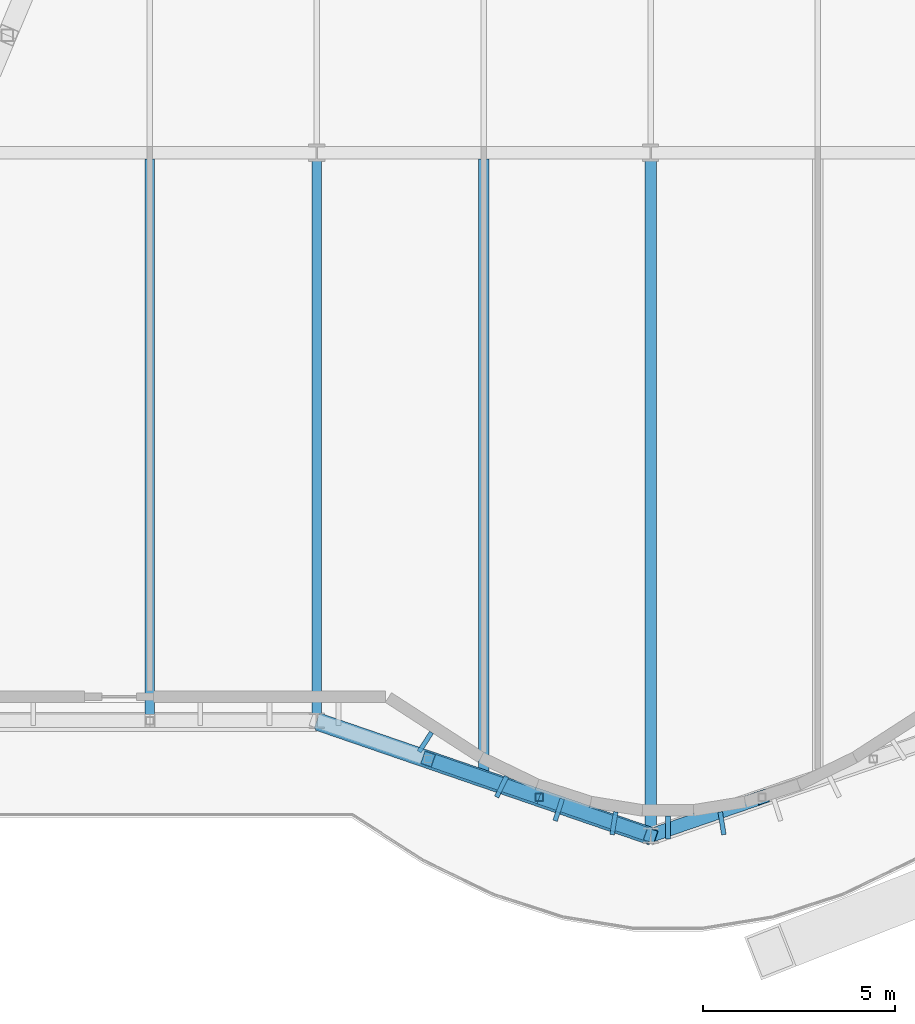
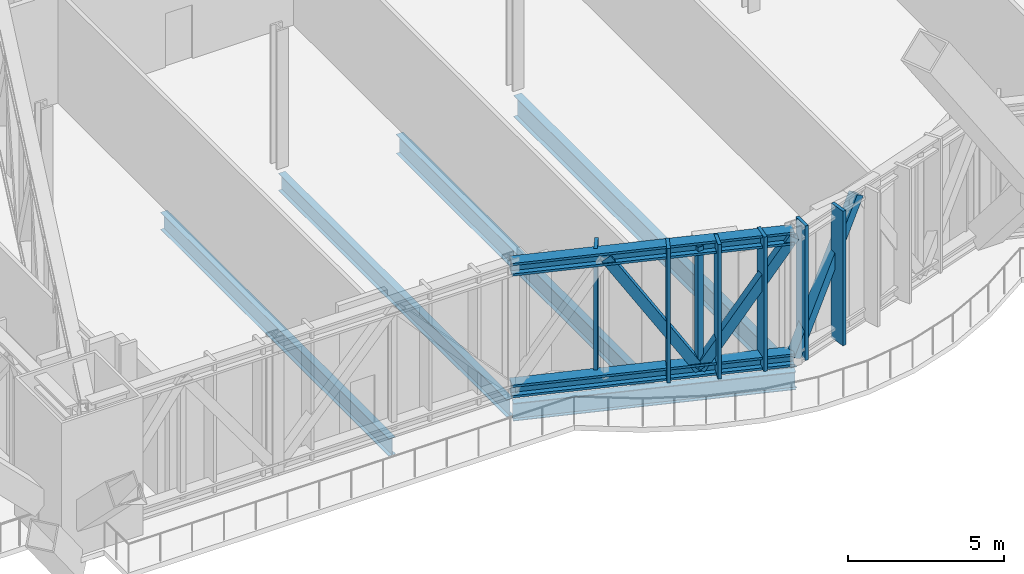
# One storey, part 5 of 32: 12 members, 5 beams, 1 element without a shape of its own.
"""IFC4 building model written with IfcOpenShell, lengths in metres."""

from ifc_helpers import new_model, si_unit, direction, frame, origin, origin_2d, place, context, subcontext, project, spatial, rectangle, hollow_rectangle, i_section, extrude, material, material_profile, profile_set, type_object, element, aggregate, save


model = new_model("IFC4")

# Units and contexts
model_context = context("Model", 3, precision=1e-05, world=origin(), true_north=direction((0.0, 1.0)))
body_context = subcontext(model_context, "Body", "Model", "MODEL_VIEW")
ifc_project = project(units=[si_unit("LENGTHUNIT", "METRE"), si_unit("AREAUNIT", "SQUARE_METRE"), si_unit("VOLUMEUNIT", "CUBIC_METRE"), si_unit("PLANEANGLEUNIT", "RADIAN"), si_unit("MASSUNIT", "GRAM", prefix="KILO")], contexts=[model_context])

# Site, building, storey
site_placement = place(None, origin())
site = spatial("IfcSite", under=ifc_project, at=site_placement, CompositionType="ELEMENT")
building_placement = place(site_placement, origin())
building = spatial("IfcBuilding", under=site, at=building_placement, Name="Bicima Exchange Tower", CompositionType="ELEMENT")
storey_placement = place(building_placement, frame((0.0, 0.0, 84.5)))
storey = spatial("IfcBuildingStorey", under=building, at=storey_placement, Name="L17", CompositionType="ELEMENT", Elevation=84.5)

# Curtain wall, members
ifc_material_1 = material(Name="Anodised bronze aluminium", Category="aluminium")
curtain_wall_type = type_object("IfcCurtainWallType", Name="Band blade screen", PredefinedType="NOTDEFINED", material=ifc_material_1)
curtain_wall_placement = place(storey_placement, origin())
curtain_wall = element("IfcCurtainWall", 1, at=curtain_wall_placement, inside=storey, type_object=curtain_wall_type, Name="Band blade screen L17", PredefinedType="NOTDEFINED")
ifc_material_profile_1 = material_profile(ifc_material_1, rectangle(XDim=0.60009765625, YDim=0.1201171875, at=origin_2d()))
ifc_profile_set_1 = profile_set([ifc_material_profile_1], Name="Anodised bronze aluminium")
member_type_1 = type_object("IfcMemberType", Name="Band blade fin 600 x 120", PredefinedType="USERDEFINED", material=ifc_profile_set_1)
member_1_placement = place(storey_placement, frame((-14.5703125, -37.348388671875, 0.0), z_axis=(0.0, 0.0, 1.0), x_axis=(0.542916511621, 0.839786676132, 0.0)))
member_1 = element("IfcMember", 2, at=member_1_placement, type_object=member_type_1, Name="Band blade fin 35", ObjectType="FIN", PredefinedType="USERDEFINED", context=body_context, shape_type="SweptSolid", body=[
    extrude(rectangle(XDim=0.60009765625, YDim=0.1201171875, at=origin_2d()), origin(), (0.0, 0.0, 1.0), 5.25),
])
member_2_placement = place(storey_placement, frame((-12.583740234375, -38.510498046875, 0.0), z_axis=(0.0, 0.0, 1.0), x_axis=(0.436286748784, 0.899807686584, 0.0)))
member_2 = element("IfcMember", 3, at=member_2_placement, type_object=member_type_1, Name="Band blade fin 36", ObjectType="FIN", PredefinedType="USERDEFINED", context=body_context, shape_type="SweptSolid", body=[
    extrude(rectangle(XDim=0.60009765625, YDim=0.1201171875, at=origin_2d()), origin(), (0.0, 0.0, 1.0), 5.25),
])
member_3_placement = place(storey_placement, frame((-11.096435546875, -39.114013671875, 0.0), z_axis=(0.0, 0.0, 1.0), x_axis=(0.307552591055, 0.951531083956, 0.0)))
member_3 = element("IfcMember", 4, at=member_3_placement, type_object=member_type_1, Name="Band blade fin 37", ObjectType="FIN", PredefinedType="USERDEFINED", context=body_context, shape_type="SweptSolid", body=[
    extrude(rectangle(XDim=0.60009765625, YDim=0.1201171875, at=origin_2d()), origin(), (0.0, 0.0, 1.0), 5.25),
])
member_4_placement = place(storey_placement, frame((-9.65869140625, -39.464599609375, 0.0), z_axis=(0.0, 0.0, 1.0), x_axis=(0.159533156447, 0.987192570877, 0.0)))
member_4 = element("IfcMember", 5, at=member_4_placement, type_object=member_type_1, Name="Band blade fin 38", ObjectType="FIN", PredefinedType="USERDEFINED", context=body_context, shape_type="SweptSolid", body=[
    extrude(rectangle(XDim=0.60009765625, YDim=0.1201171875, at=origin_2d()), origin(), (0.0, 0.0, 1.0), 5.25),
])
member_5_placement = place(storey_placement, frame((-8.25, -39.5791015625, 0.0), z_axis=(0.0, 0.0, 1.0), x_axis=(0.0, 1.0, 0.0)))
member_5 = element("IfcMember", 6, at=member_5_placement, type_object=member_type_1, Name="Band blade fin 39", ObjectType="FIN", PredefinedType="USERDEFINED", context=body_context, shape_type="SweptSolid", body=[
    extrude(rectangle(XDim=0.60009765625, YDim=0.1201171875, at=origin_2d()), origin(), (0.0, 0.0, 1.0), 5.25),
])
member_6_placement = place(storey_placement, frame((-6.84130859375, -39.464599609375, 0.0), z_axis=(0.0, 0.0, 1.0), x_axis=(-0.159533156447, 0.987192570877, 0.0)))
member_6 = element("IfcMember", 7, at=member_6_placement, type_object=member_type_1, Name="Band blade fin 40", ObjectType="FIN", PredefinedType="USERDEFINED", context=body_context, shape_type="SweptSolid", body=[
    extrude(rectangle(XDim=0.60009765625, YDim=0.1201171875, at=origin_2d()), origin(), (0.0, 0.0, 1.0), 5.25),
])
aggregate(curtain_wall, [member_1, member_2, member_3, member_4, member_5, member_6])

# Members
ifc_material_2 = material(Name="Steel ASTM A992 Gr 50", Category="steel")
ifc_material_profile_2 = material_profile(ifc_material_2, i_section(OverallWidth=0.431884765625, OverallDepth=0.497802734375, WebThickness=0.0556640625, FlangeThickness=0.0888671875, at=origin_2d()))
ifc_profile_set_2 = profile_set([ifc_material_profile_2], Name="Steel ASTM A992 Gr 50")
member_type_2 = type_object("IfcMemberType", Name="Belt truss chord W14x500", PredefinedType="CHORD", material=ifc_profile_set_2)
for number, where, z_axis, x_axis, name in (
    (8, (-17.39990234375, -36.7939453125, 5.001220703125), (0.945666456746, -0.325138359143, 0.0), (0.325138359143, 0.945666456746, 0.0), "Top chord"),
    (9, (-17.39990234375, -36.7939453125, 0.248779296875), (0.945666456746, -0.325138359143, 0.0), (0.325138359143, 0.945666456746, 0.0), "Bottom chord"),
):
    element("IfcMember", number, at=place(storey_placement, frame(where, z_axis=z_axis, x_axis=x_axis)), inside=storey, type_object=member_type_2, Name=name, PredefinedType="CHORD", context=body_context, shape_type="SweptSolid", body=[
        extrude(i_section(OverallWidth=0.431884765625, OverallDepth=0.497802734375, WebThickness=0.0556640625, FlangeThickness=0.0888671875, at=origin_2d()), origin(), (0.0, 0.0, 1.0), 9.19970703125),
    ])
ifc_material_3 = material(Name="Steel ASTM A572 Gr 50", Category="steel")
ifc_material_profile_3 = material_profile(ifc_material_3, hollow_rectangle(XDim=0.355712890625, YDim=0.355712890625, WallThickness=0.0146484375, at=origin_2d()))
ifc_profile_set_3 = profile_set([ifc_material_profile_3], Name="Steel ASTM A572 Gr 50")
member_type_3 = type_object("IfcMemberType", Name="Belt truss diagonal HSS14x14x5/8", PredefinedType="STRUT", material=ifc_profile_set_3)
for number, where, z_axis, x_axis, name in (
    (10, (-14.5, -37.791015625, 5.001220703125), (0.5127210239, -0.176288319718, -0.840261614012), (0.325146518908, 0.945663651222, 0.0), "Truss diagonal"),
    (11, (-11.60009765625, -38.7880859375, 0.248779296875), (0.512752840949, -0.176284418085, 0.840243017251), (0.325122040768, 0.94567206716, 0.0), "Truss diagonal"),
    (12, (-8.699951171875, -39.78515625, 0.248779296875), (0.5127210239, 0.176288319718, 0.840261614012), (-0.325146518908, 0.945663651222, 0.0), "Truss diagonal"),
):
    element("IfcMember", number, at=place(storey_placement, frame(where, z_axis=z_axis, x_axis=x_axis)), inside=storey, type_object=member_type_3, Name=name, PredefinedType="STRUT", context=body_context, shape_type="SweptSolid", body=[
        extrude(hollow_rectangle(XDim=0.355712890625, YDim=0.355712890625, WallThickness=0.0146484375, at=origin_2d()), origin(), (0.0, 0.0, 1.0), 5.656005859375),
    ])
ifc_material_profile_4 = material_profile(ifc_material_3, hollow_rectangle(XDim=0.203125, YDim=0.203125, WallThickness=0.01171875, at=origin_2d()))
ifc_profile_set_4 = profile_set([ifc_material_profile_4], Name="Steel ASTM A572 Gr 50")
member_type_4 = type_object("IfcMemberType", Name="Belt truss post HSS8x8x1/2", PredefinedType="POST", material=ifc_profile_set_4)
member_7_placement = place(storey_placement, frame((-11.60009765625, -38.7880859375, 0.248779296875), z_axis=(0.0, 0.0, 1.0), x_axis=(1.0, 0.0, 0.0)))
element("IfcMember", 13, at=member_7_placement, inside=storey, type_object=member_type_4, Name="Truss post", PredefinedType="POST", context=body_context, shape_type="SweptSolid", body=[
    extrude(hollow_rectangle(XDim=0.203125, YDim=0.203125, WallThickness=0.01171875, at=origin_2d()), origin(), (0.0, 0.0, 1.0), 4.75244140625),
])

# Beams
ifc_material_profile_5 = material_profile(ifc_material_2, i_section(OverallWidth=0.25390625, OverallDepth=0.67822265625, WebThickness=0.01171875, FlangeThickness=0.016357421875, at=origin_2d()))
ifc_profile_set_5 = profile_set([ifc_material_profile_5], Name="Steel ASTM A992 Gr 50")
beam_type_1 = type_object("IfcBeamType", Name="Floor beam W27x84", PredefinedType="JOIST", material=ifc_profile_set_5)
for number, where, z_axis, x_axis, name in (
    (14, (-21.75, -22.16259765625, -0.5390625), (0.0, -1.0, 0.0), (1.0, 0.0, 0.0), "Floor beam"),
    (15, (-17.39990234375, -22.16259765625, -0.5390625), (0.0, -1.0, 0.0), (1.0, 0.0, 0.0), "Floor beam"),
):
    element("IfcBeam", number, at=place(storey_placement, frame(where, z_axis=z_axis, x_axis=x_axis)), inside=storey, type_object=beam_type_1, Name=name, PredefinedType="JOIST", context=body_context, shape_type="SweptSolid", body=[
        extrude(i_section(OverallWidth=0.25390625, OverallDepth=0.67822265625, WebThickness=0.01171875, FlangeThickness=0.016357421875, at=origin_2d()), origin(), (0.0, 0.0, 1.0), 14.5908203125),
    ])
ifc_material_profile_6 = material_profile(ifc_material_2, i_section(OverallWidth=0.2666015625, OverallDepth=0.75439453125, WebThickness=0.01318359375, FlangeThickness=0.01708984375, at=origin_2d()))
ifc_profile_set_6 = profile_set([ifc_material_profile_6], Name="Steel ASTM A992 Gr 50")
beam_type_2 = type_object("IfcBeamType", Name="Floor beam W30x99", PredefinedType="JOIST", material=ifc_profile_set_6)
beam_1_placement = place(storey_placement, frame((-13.050048828125, -22.16259765625, -0.5771484375), z_axis=(0.0, -1.0, 0.0), x_axis=(1.0, 0.0, 0.0)))
element("IfcBeam", 16, at=beam_1_placement, inside=storey, type_object=beam_type_2, Name="Floor beam", PredefinedType="JOIST", context=body_context, shape_type="SweptSolid", body=[
    extrude(i_section(OverallWidth=0.2666015625, OverallDepth=0.75439453125, WebThickness=0.01318359375, FlangeThickness=0.01708984375, at=origin_2d()), origin(), (0.0, 0.0, 1.0), 16.11328125),
])
ifc_material_profile_7 = material_profile(ifc_material_2, i_section(OverallWidth=0.2919921875, OverallDepth=0.835693359375, WebThickness=0.013916015625, FlangeThickness=0.018798828125, at=origin_2d()))
ifc_profile_set_7 = profile_set([ifc_material_profile_7], Name="Steel ASTM A992 Gr 50")
beam_type_3 = type_object("IfcBeamType", Name="Floor beam W33x118", PredefinedType="JOIST", material=ifc_profile_set_7)
beam_2_placement = place(storey_placement, frame((-8.699951171875, -22.16259765625, -0.617919921875), z_axis=(0.0, -1.0, 0.0), x_axis=(1.0, 0.0, 0.0)))
element("IfcBeam", 17, at=beam_2_placement, inside=storey, type_object=beam_type_3, Name="Floor beam", PredefinedType="JOIST", context=body_context, shape_type="SweptSolid", body=[
    extrude(i_section(OverallWidth=0.2919921875, OverallDepth=0.835693359375, WebThickness=0.013916015625, FlangeThickness=0.018798828125, at=origin_2d()), origin(), (0.0, 0.0, 1.0), 17.60888671875),
])
ifc_material_profile_8 = material_profile(ifc_material_2, i_section(OverallWidth=0.256591796875, OverallDepth=0.693359375, WebThickness=0.014404296875, FlangeThickness=0.023681640625, at=origin_2d()))
ifc_profile_set_8 = profile_set([ifc_material_profile_8], Name="Steel ASTM A992 Gr 50")
beam_type_4 = type_object("IfcBeamType", Name="Front girder W27x114", PredefinedType="BEAM", material=ifc_profile_set_8)
beam_3_placement = place(storey_placement, frame((-17.39990234375, -36.916015625, -0.546630859375), z_axis=(0.945674616091, -0.32511462668, 0.0), x_axis=(0.32511462668, 0.945674616091, 0.0)))
element("IfcBeam", 18, at=beam_3_placement, inside=storey, type_object=beam_type_4, Name="Front girder", PredefinedType="BEAM", context=body_context, shape_type="SweptSolid", body=[
    extrude(i_section(OverallWidth=0.256591796875, OverallDepth=0.693359375, WebThickness=0.014404296875, FlangeThickness=0.023681640625, at=origin_2d()), origin(), (0.0, 0.0, 1.0), 9.19970703125),
])

save(model, "model.ifc")
